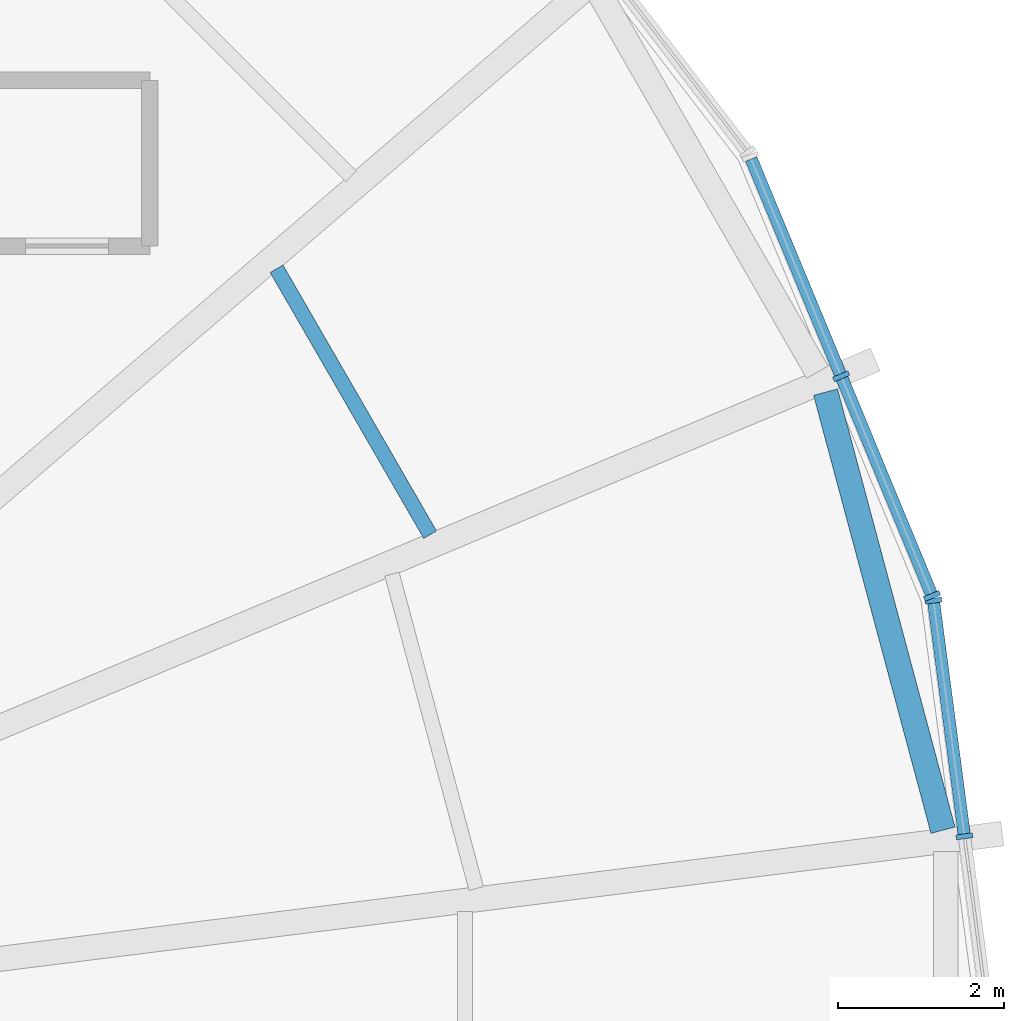
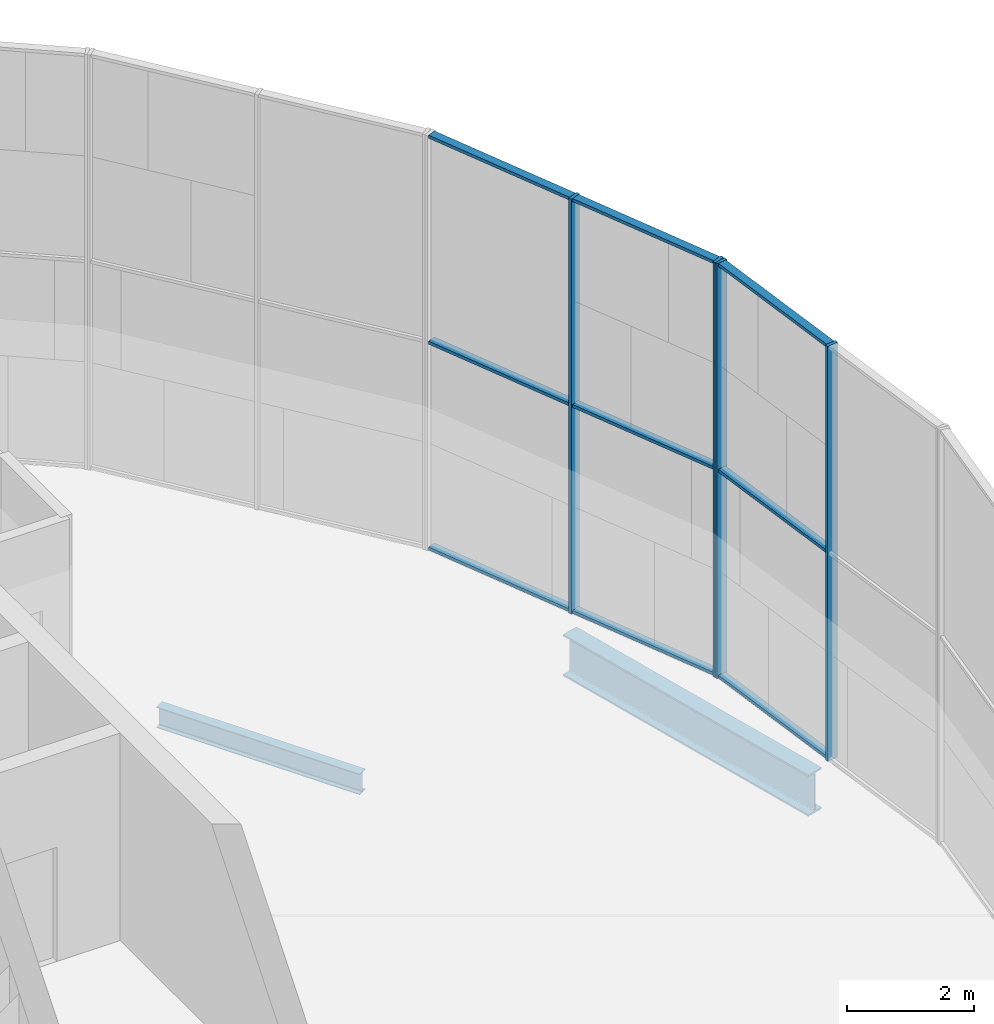
# One storey, part 5 of 19: 13 members, 2 beams, 2 elements without a shape of their own.
"""IFC4 building model written with IfcOpenShell, lengths in metres."""

import ifcopenshell
import ifcopenshell.guid

model = None  # the IFC model being written
_history = None  # IfcOwnerHistory: only IFC2X3 demands one
_inside = {}  # id of a spatial element -> (the spatial element, [elements in it])
_under = {}  # id of a project, library or spatial element -> (it, [spatial elements below it])
_declared = {}  # id of a project -> (the project, [libraries it declares])
_typed = {}  # id of a type object -> (the type object, [elements of that type])
_made_of = {}  # id of a material, layer set ... -> (it, [elements and type objects made of it])


def new_model(schema):
    """Start an empty IFC model of exactly this schema.

    Asked for "IFC4X3", IfcOpenShell would pick the latest addendum, in which some entities
    have other attributes; the version numbers below select the first issue.
    IFC2X3 requires an IfcOwnerHistory on every rooted entity: one is made here for all.
    """
    global model, _history
    if schema == "IFC4X3":
        model = ifcopenshell.file(schema_version=(4, 3, 0, 0))
    else:
        model = ifcopenshell.file(schema=schema)
    _inside.clear()
    _under.clear()
    _declared.clear()
    _typed.clear()
    _made_of.clear()
    _history = None
    if model.schema == "IFC2X3":
        org = make("IfcOrganization", Name="unknown")
        user = make(
            "IfcPersonAndOrganization",
            ThePerson=make("IfcPerson", FamilyName="unknown"),
            TheOrganization=org,
        )
        app = make(
            "IfcApplication",
            ApplicationDeveloper=org,
            Version="unknown",
            ApplicationFullName="unknown",
            ApplicationIdentifier="unknown",
        )
        _history = make(
            "IfcOwnerHistory",
            OwningUser=user,
            OwningApplication=app,
            ChangeAction="ADDED",
            CreationDate=0,
        )
    return model


def make(cls, **values):
    """One entity of the class cls with the attributes given. An attribute that is None is left unset."""
    return model.create_entity(
        cls, **{name: value for name, value in values.items() if value is not None}
    )


def rooted(cls, **values):
    """An entity with a GlobalId (a new one), such as an element, a storey or a relation."""
    return make(cls, GlobalId=ifcopenshell.guid.new(), OwnerHistory=_history, **values)


def si_unit(unit_type, name, prefix=None):
    """IfcSIUnit, for example si_unit("LENGTHUNIT", "METRE", prefix="MILLI")."""
    return make("IfcSIUnit", UnitType=unit_type, Prefix=prefix, Name=name)


def assignment(units):
    """IfcUnitAssignment: the units of a project."""
    return None if units is None else make("IfcUnitAssignment", Units=units)


def point(xyz):
    """IfcCartesianPoint."""
    return None if xyz is None else make("IfcCartesianPoint", Coordinates=xyz)


def direction(xyz):
    """IfcDirection."""
    return None if xyz is None else make("IfcDirection", DirectionRatios=xyz)


def frame(location, z_axis=None, x_axis=None):
    """IfcAxis2Placement3D, a coordinate frame: its origin and axes. An axis left out is left unset."""
    return make(
        "IfcAxis2Placement3D",
        Location=point(location),
        Axis=direction(z_axis),
        RefDirection=direction(x_axis),
    )


def frame_2d(location, x_axis=None):
    """IfcAxis2Placement2D, a coordinate frame in the plane: its origin and x axis."""
    return make(
        "IfcAxis2Placement2D", Location=point(location), RefDirection=direction(x_axis)
    )


def origin():
    """The frame at (0, 0, 0) with its axes left unset."""
    return frame((0.0, 0.0, 0.0))


def origin_2d():
    """The frame at (0, 0) in the plane with its x axis left unset."""
    return frame_2d((0.0, 0.0))


def place(relative_to, where):
    """IfcLocalPlacement: puts the frame where relative to a parent placement (None: the world)."""
    return make(
        "IfcLocalPlacement", PlacementRelTo=relative_to, RelativePlacement=where
    )


def context(
    kind, dimensions, precision=None, world=None, true_north=None, identifier=None
):
    """IfcGeometricRepresentationContext, for example the 3D "Model" context."""
    return make(
        "IfcGeometricRepresentationContext",
        ContextIdentifier=identifier,
        ContextType=kind,
        CoordinateSpaceDimension=dimensions,
        Precision=precision,
        WorldCoordinateSystem=world,
        TrueNorth=true_north,
    )


def subcontext(parent, identifier, kind, view, scale=None):
    """IfcGeometricRepresentationSubContext, for example "Body" below "Model"."""
    return make(
        "IfcGeometricRepresentationSubContext",
        ContextIdentifier=identifier,
        ContextType=kind,
        ParentContext=parent,
        TargetScale=scale,
        TargetView=view,
    )


def project(units=None, contexts=None):
    """IfcProject with its units and contexts."""
    return rooted(
        "IfcProject",
        Name="project",
        RepresentationContexts=contexts,
        UnitsInContext=assignment(units),
    )


def spatial(cls, under=None, at=None, **own):
    """A site, building, storey or space (cls), placed at a placement, below another one or the project."""
    s = rooted(cls, ObjectPlacement=at, **own)
    if under is not None:
        _under.setdefault(under.id(), (under, []))[1].append(s)
    return s


def profile(cls, at=None, kind="AREA", **sizes):
    """A parametric profile (cls). Its sizes go by their IFC names, for example OverallWidth=200.0."""
    return make(cls, ProfileType=kind, Position=at, **sizes)


def rectangle(**sizes):
    """IfcRectangleProfileDef."""
    return profile("IfcRectangleProfileDef", **sizes)


def i_section(**sizes):
    """IfcIShapeProfileDef."""
    return profile("IfcIShapeProfileDef", **sizes)


def extrude(swept, where, along, depth):
    """IfcExtrudedAreaSolid: the profile swept, set in the frame where, extruded along a direction by depth."""
    return make(
        "IfcExtrudedAreaSolid",
        SweptArea=swept,
        Position=where,
        ExtrudedDirection=direction(along),
        Depth=depth,
    )


def shape(context_of_items, identifier, shape_type, items):
    """IfcShapeRepresentation: the items that make up one representation, for example the "Body"."""
    return make(
        "IfcShapeRepresentation",
        ContextOfItems=context_of_items,
        RepresentationIdentifier=identifier,
        RepresentationType=shape_type,
        Items=items,
    )


def material(Name=None, Category=None):
    """IfcMaterial."""
    return make("IfcMaterial", Name=Name, Category=Category)


def material_profile(
    of_material, cross_section, Name=None, Category=None, Priority=None
):
    """IfcMaterialProfile: a cross section and its material."""
    return make(
        "IfcMaterialProfile",
        Name=Name,
        Material=of_material,
        Profile=cross_section,
        Priority=Priority,
        Category=Category,
    )


def profile_set(profiles, Name=None, composite=None):
    """IfcMaterialProfileSet."""
    return make(
        "IfcMaterialProfileSet",
        Name=Name,
        MaterialProfiles=profiles,
        CompositeProfile=composite,
    )


def made_of(thing, what):
    """Note that an element or type object is made of a material, layer set ...; save() writes the relation."""
    if what is not None:
        _made_of.setdefault(what.id(), (what, []))[1].append(thing)
    return thing


def type_object(cls, material=None, **own):
    """A type object (cls), such as IfcWallType, which elements share."""
    return made_of(rooted(cls, **own), material)


def element(
    cls,
    number,
    at=None,
    inside=None,
    cuts=None,
    type_object=None,
    material=None,
    context=None,
    identifier="Body",
    shape_type=None,
    held_by="IfcProductDefinitionShape",
    body=None,
    shapes=None,
    **own,
):
    """One element of the class cls, such as IfcWall. Its Tag is "e" and its number.

    at: its placement. inside: the storey or other place that contains it. cuts: it is an
    opening in that element (IfcRelVoidsElement). A single representation is given by context,
    identifier, shape_type and body (its items); several are given by shapes. held_by: the class
    of the entity that holds the representations. save() writes the other relations.
    """
    e = rooted(cls, Tag="e%d" % number, ObjectPlacement=at, **own)
    if body is not None:
        shapes = [shape(context, identifier, shape_type, body)]
    if shapes is not None:
        e.Representation = make(held_by, Representations=shapes)
    if inside is not None:
        _inside.setdefault(inside.id(), (inside, []))[1].append(e)
    if cuts is not None:
        rooted(
            "IfcRelVoidsElement", RelatingBuildingElement=cuts, RelatedOpeningElement=e
        )
    if type_object is not None:
        _typed.setdefault(type_object.id(), (type_object, []))[1].append(e)
    return made_of(e, material)


def aggregate(whole, parts):
    """IfcRelAggregates: a whole, such as a stair, and the parts it consists of."""
    return rooted("IfcRelAggregates", RelatingObject=whole, RelatedObjects=parts)


def save(model, path):
    """Write the relations noted so far, then the file.

    IfcRelAggregates (storeys below a building ...), IfcRelContainedInSpatialStructure (elements
    in a storey), IfcRelDefinesByType, IfcRelAssociatesMaterial and IfcRelDeclares: one each for
    every whole, place, type object, material and project.
    """
    for whole, parts in _under.values():
        aggregate(whole, parts)
    for where, things in _inside.values():
        rooted(
            "IfcRelContainedInSpatialStructure",
            RelatedElements=things,
            RelatingStructure=where,
        )
    for kind, things in _typed.values():
        rooted("IfcRelDefinesByType", RelatedObjects=things, RelatingType=kind)
    for what, things in _made_of.values():
        rooted("IfcRelAssociatesMaterial", RelatedObjects=things, RelatingMaterial=what)
    for by, libraries in _declared.values():
        rooted("IfcRelDeclares", RelatingContext=by, RelatedDefinitions=libraries)
    model.write(path)


model = new_model("IFC4")

# Units and contexts
model_context = context("Model", 3, precision=1e-05, world=origin(), true_north=direction((0.0, 1.0)))
body_context = subcontext(model_context, "Body", "Model", "MODEL_VIEW")
ifc_project = project(units=[si_unit("LENGTHUNIT", "METRE"), si_unit("AREAUNIT", "SQUARE_METRE"), si_unit("VOLUMEUNIT", "CUBIC_METRE"), si_unit("PLANEANGLEUNIT", "RADIAN"), si_unit("MASSUNIT", "GRAM", prefix="KILO")], contexts=[model_context])

# Site, building, storey
site_placement = place(None, origin())
site = spatial("IfcSite", under=ifc_project, at=site_placement, CompositionType="ELEMENT")
building_placement = place(site_placement, origin())
building = spatial("IfcBuilding", under=site, at=building_placement, Name="Golbaran Civic Tower", CompositionType="ELEMENT")
storey_placement = place(building_placement, frame((0.0, 0.0, 256.0)))
storey = spatial("IfcBuildingStorey", under=building, at=storey_placement, Name="L62", CompositionType="ELEMENT", Elevation=256.0)

# Beams
ifc_material_1 = material(Name="Steel S355", Category="steel")
ifc_material_profile_1 = material_profile(ifc_material_1, i_section(OverallWidth=0.300048828125, OverallDepth=0.800048828125, WebThickness=0.017578125, FlangeThickness=0.032958984375, FilletRadius=0.030029296875, at=origin_2d()), Name="HEB 800")
ifc_profile_set_1 = profile_set([ifc_material_profile_1], Name="Steel S355")
beam_type_1 = type_object("IfcBeamType", Name="EDGE BEAM HEB 800", PredefinedType="BEAM", material=ifc_profile_set_1)
beam_1_placement = place(storey_placement, frame((21.57568359375, 2.94775390625, -0.60009765625), z_axis=(-0.258897277861, 0.965904860489, 0.0), x_axis=(-0.965904860489, -0.258897277861, 0.0)))
element("IfcBeam", 1, at=beam_1_placement, inside=storey, type_object=beam_type_1, Name="Edge beam 7.42 L62", PredefinedType="BEAM", context=body_context, shape_type="SweptSolid", body=[
    extrude(i_section(OverallWidth=0.300048828125, OverallDepth=0.800048828125, WebThickness=0.017578125, FlangeThickness=0.032958984375, FilletRadius=0.030029296875, at=origin_2d()), origin(), (0.0, 0.0, 1.0), 5.47607421875),
])
ifc_material_profile_2 = material_profile(ifc_material_1, i_section(OverallWidth=0.179931640625, OverallDepth=0.39990234375, WebThickness=0.008544921875, FlangeThickness=0.013427734375, FilletRadius=0.02099609375, at=origin_2d()), Name="IPE 400")
ifc_profile_set_2 = profile_set([ifc_material_profile_2], Name="Steel S355")
beam_type_2 = type_object("IfcBeamType", Name="FLOOR INFILL BEAM IPE 400", PredefinedType="BEAM", material=ifc_profile_set_2)
beam_2_placement = place(storey_placement, frame((15.38427734375, 6.515380859375, -0.39990234375), z_axis=(-0.500005526257, 0.866022213175, 0.0), x_axis=(-0.866022213175, -0.500005526257, 0.0)))
element("IfcBeam", 2, at=beam_2_placement, inside=storey, type_object=beam_type_2, Name="Infill beam 30.00 L62", PredefinedType="BEAM", context=body_context, shape_type="SweptSolid", body=[
    extrude(i_section(OverallWidth=0.179931640625, OverallDepth=0.39990234375, WebThickness=0.008544921875, FlangeThickness=0.013427734375, FilletRadius=0.02099609375, at=origin_2d()), origin(), (0.0, 0.0, 1.0), 3.7080078125),
])

# Curtain wall, members
ifc_material_2 = material(Name="Aluminium and glass", Category="aluminium")
curtain_wall_type = type_object("IfcCurtainWallType", Name="INNER SKIN CURTAIN WALL EXECUTIVE", PredefinedType="NOTDEFINED", material=ifc_material_2)
curtain_wall_1_placement = place(storey_placement, origin())
curtain_wall_1 = element("IfcCurtainWall", 3, at=curtain_wall_1_placement, inside=storey, type_object=curtain_wall_type, Name="Inner skin L62 facet 1 CW2", ObjectType="INNER SKIN", PredefinedType="USERDEFINED")
ifc_material_3 = material(Name="Aluminium", Category="aluminium")
ifc_material_profile_3 = material_profile(ifc_material_3, rectangle(XDim=0.199951171875, YDim=0.06005859375, at=origin_2d()), Name="INNER SKIN CURTAIN WALL EXECUTIVE MULLION")
ifc_profile_set_3 = profile_set([ifc_material_profile_3], Name="Aluminium")
member_type_1 = type_object("IfcMemberType", Name="INNER SKIN CURTAIN WALL EXECUTIVE MULLION", PredefinedType="MULLION", material=ifc_profile_set_3)
member_1_placement = place(storey_placement, frame((21.83447265625, 2.87451171875, 0.0), z_axis=(0.0, 0.0, 1.0), x_axis=(-0.991444861367, -0.130526192272, 0.0)))
member_1 = element("IfcMember", 4, at=member_1_placement, type_object=member_type_1, Name="CW2 mullion 2", PredefinedType="MULLION", context=body_context, shape_type="SweptSolid", body=[
    extrude(rectangle(XDim=0.199951171875, YDim=0.06005859375, at=origin_2d()), origin(), (0.0, 0.0, 1.0), 8.0),
])
member_2_placement = place(storey_placement, frame((21.4599609375, 5.719482421875, 0.0), z_axis=(0.0, 0.0, 1.0), x_axis=(-0.991444861367, -0.130526192272, 0.0)))
member_2 = element("IfcMember", 5, at=member_2_placement, type_object=member_type_1, Name="CW2 mullion 3", PredefinedType="MULLION", context=body_context, shape_type="SweptSolid", body=[
    extrude(rectangle(XDim=0.199951171875, YDim=0.06005859375, at=origin_2d()), origin(), (0.0, 0.0, 1.0), 8.0),
])

curtain_wall_2_placement = place(storey_placement, origin())
curtain_wall_2 = element("IfcCurtainWall", 6, at=curtain_wall_2_placement, inside=storey, type_object=curtain_wall_type, Name="Inner skin L62 facet 2 CW2", ObjectType="INNER SKIN", PredefinedType="USERDEFINED")
member_3_placement = place(storey_placement, frame((21.444580078125, 5.77685546875, 0.0), z_axis=(0.0, 0.0, 1.0), x_axis=(-0.923879532511, -0.382683432365, 0.0)))
member_3 = element("IfcMember", 7, at=member_3_placement, type_object=member_type_1, Name="CW2 mullion 1", PredefinedType="MULLION", context=body_context, shape_type="SweptSolid", body=[
    extrude(rectangle(XDim=0.199951171875, YDim=0.06005859375, at=origin_2d()), origin(), (0.0, 0.0, 1.0), 8.0),
])
member_4_placement = place(storey_placement, frame((20.3466796875, 8.427734375, 0.0), z_axis=(0.0, 0.0, 1.0), x_axis=(-0.923879532511, -0.382683432365, 0.0)))
member_4 = element("IfcMember", 8, at=member_4_placement, type_object=member_type_1, Name="CW2 mullion 2", PredefinedType="MULLION", context=body_context, shape_type="SweptSolid", body=[
    extrude(rectangle(XDim=0.199951171875, YDim=0.06005859375, at=origin_2d()), origin(), (0.0, 0.0, 1.0), 8.0),
])

# Member
ifc_material_profile_4 = material_profile(ifc_material_3, rectangle(XDim=0.14990234375, YDim=0.06005859375, at=origin_2d()), Name="INNER SKIN CURTAIN WALL EXECUTIVE TRANSOM")
ifc_profile_set_4 = profile_set([ifc_material_profile_4], Name="Aluminium")
member_type_2 = type_object("IfcMemberType", Name="INNER SKIN CURTAIN WALL EXECUTIVE TRANSOM", PredefinedType="USERDEFINED", material=ifc_profile_set_4)
member_5_placement = place(storey_placement, frame((21.83056640625, 2.904296875, 0.030029296875), z_axis=(-0.130524198098, 0.991445123903, 0.0), x_axis=(-0.991445123903, -0.130524198098, 0.0)))
member_5 = element("IfcMember", 9, at=member_5_placement, type_object=member_type_2, Name="CW2 transom 2.1", ObjectType="TRANSOM", PredefinedType="USERDEFINED", context=body_context, shape_type="SweptSolid", body=[
    extrude(rectangle(XDim=0.14990234375, YDim=0.06005859375, at=origin_2d()), origin(), (0.0, 0.0, 1.0), 2.809326171875),
])

member_6_placement = place(storey_placement, frame((21.83056640625, 2.904296875, 4.0), z_axis=(-0.130524198098, 0.991445123903, 0.0), x_axis=(-0.991445123903, -0.130524198098, 0.0)))
member_6 = element("IfcMember", 10, at=member_6_placement, type_object=member_type_2, Name="CW2 transom 2.2", ObjectType="TRANSOM", PredefinedType="USERDEFINED", context=body_context, shape_type="SweptSolid", body=[
    extrude(rectangle(XDim=0.14990234375, YDim=0.06005859375, at=origin_2d()), origin(), (0.0, 0.0, 1.0), 2.809326171875),
])

member_7_placement = place(storey_placement, frame((21.83056640625, 2.904296875, 7.969970703125), z_axis=(-0.130524198098, 0.991445123903, 0.0), x_axis=(-0.991445123903, -0.130524198098, 0.0)))
member_7 = element("IfcMember", 11, at=member_7_placement, type_object=member_type_2, Name="CW2 transom 2.3", ObjectType="TRANSOM", PredefinedType="USERDEFINED", context=body_context, shape_type="SweptSolid", body=[
    extrude(rectangle(XDim=0.14990234375, YDim=0.06005859375, at=origin_2d()), origin(), (0.0, 0.0, 1.0), 2.809326171875),
])

aggregate(curtain_wall_1, [member_1, member_2, member_5, member_6, member_7])

member_8_placement = place(storey_placement, frame((21.43310546875, 5.8046875, 0.030029296875), z_axis=(-0.382646017682, 0.923895029293, 0.0), x_axis=(-0.923895029293, -0.382646017682, 0.0)))
member_8 = element("IfcMember", 12, at=member_8_placement, type_object=member_type_2, Name="CW2 transom 1.1", ObjectType="TRANSOM", PredefinedType="USERDEFINED", context=body_context, shape_type="SweptSolid", body=[
    extrude(rectangle(XDim=0.14990234375, YDim=0.06005859375, at=origin_2d()), origin(), (0.0, 0.0, 1.0), 2.809326171875),
])

member_9_placement = place(storey_placement, frame((21.43310546875, 5.8046875, 4.0), z_axis=(-0.382646017682, 0.923895029293, 0.0), x_axis=(-0.923895029293, -0.382646017682, 0.0)))
member_9 = element("IfcMember", 13, at=member_9_placement, type_object=member_type_2, Name="CW2 transom 1.2", ObjectType="TRANSOM", PredefinedType="USERDEFINED", context=body_context, shape_type="SweptSolid", body=[
    extrude(rectangle(XDim=0.14990234375, YDim=0.06005859375, at=origin_2d()), origin(), (0.0, 0.0, 1.0), 2.809326171875),
])

member_10_placement = place(storey_placement, frame((21.43310546875, 5.8046875, 7.969970703125), z_axis=(-0.382646017682, 0.923895029293, 0.0), x_axis=(-0.923895029293, -0.382646017682, 0.0)))
member_10 = element("IfcMember", 14, at=member_10_placement, type_object=member_type_2, Name="CW2 transom 1.3", ObjectType="TRANSOM", PredefinedType="USERDEFINED", context=body_context, shape_type="SweptSolid", body=[
    extrude(rectangle(XDim=0.14990234375, YDim=0.06005859375, at=origin_2d()), origin(), (0.0, 0.0, 1.0), 2.809326171875),
])

member_11_placement = place(storey_placement, frame((20.335205078125, 8.45556640625, 0.030029296875), z_axis=(-0.382720195168, 0.923864304003, 0.0), x_axis=(-0.923864304003, -0.382720195168, 0.0)))
member_11 = element("IfcMember", 15, at=member_11_placement, type_object=member_type_2, Name="CW2 transom 2.1", ObjectType="TRANSOM", PredefinedType="USERDEFINED", context=body_context, shape_type="SweptSolid", body=[
    extrude(rectangle(XDim=0.14990234375, YDim=0.06005859375, at=origin_2d()), origin(), (0.0, 0.0, 1.0), 2.809326171875),
])

member_12_placement = place(storey_placement, frame((20.335205078125, 8.45556640625, 4.0), z_axis=(-0.382720195168, 0.923864304003, 0.0), x_axis=(-0.923864304003, -0.382720195168, 0.0)))
member_12 = element("IfcMember", 16, at=member_12_placement, type_object=member_type_2, Name="CW2 transom 2.2", ObjectType="TRANSOM", PredefinedType="USERDEFINED", context=body_context, shape_type="SweptSolid", body=[
    extrude(rectangle(XDim=0.14990234375, YDim=0.06005859375, at=origin_2d()), origin(), (0.0, 0.0, 1.0), 2.809326171875),
])

member_13_placement = place(storey_placement, frame((20.335205078125, 8.45556640625, 7.969970703125), z_axis=(-0.382720195168, 0.923864304003, 0.0), x_axis=(-0.923864304003, -0.382720195168, 0.0)))
member_13 = element("IfcMember", 17, at=member_13_placement, type_object=member_type_2, Name="CW2 transom 2.3", ObjectType="TRANSOM", PredefinedType="USERDEFINED", context=body_context, shape_type="SweptSolid", body=[
    extrude(rectangle(XDim=0.14990234375, YDim=0.06005859375, at=origin_2d()), origin(), (0.0, 0.0, 1.0), 2.809326171875),
])

aggregate(curtain_wall_2, [member_3, member_4, member_8, member_9, member_10, member_11, member_12, member_13])

save(model, "model.ifc")
